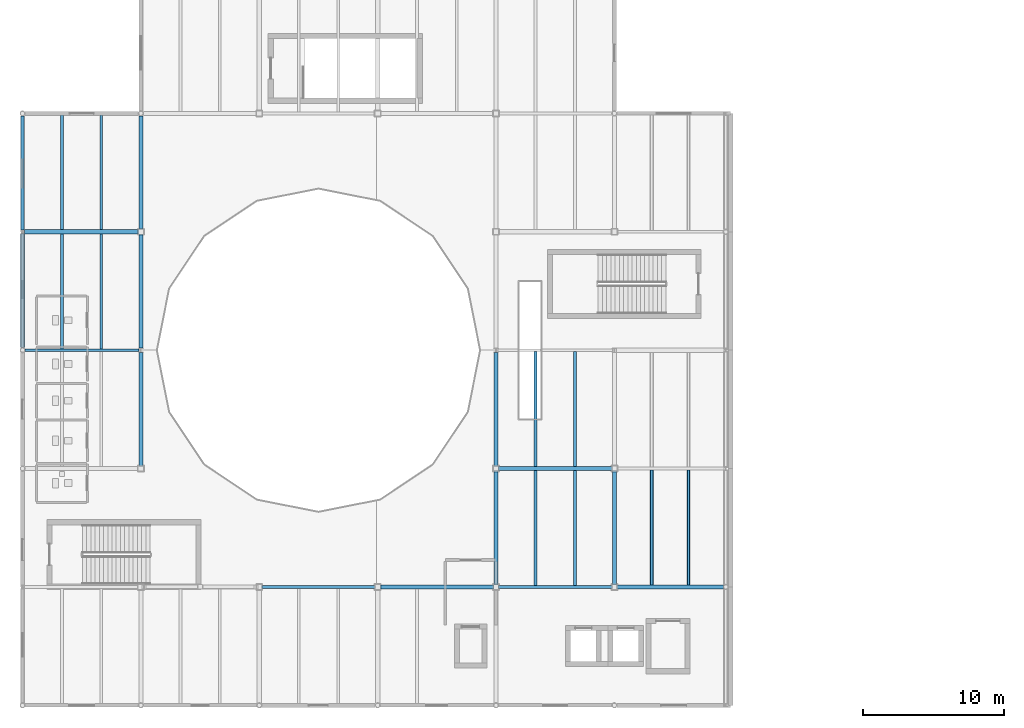
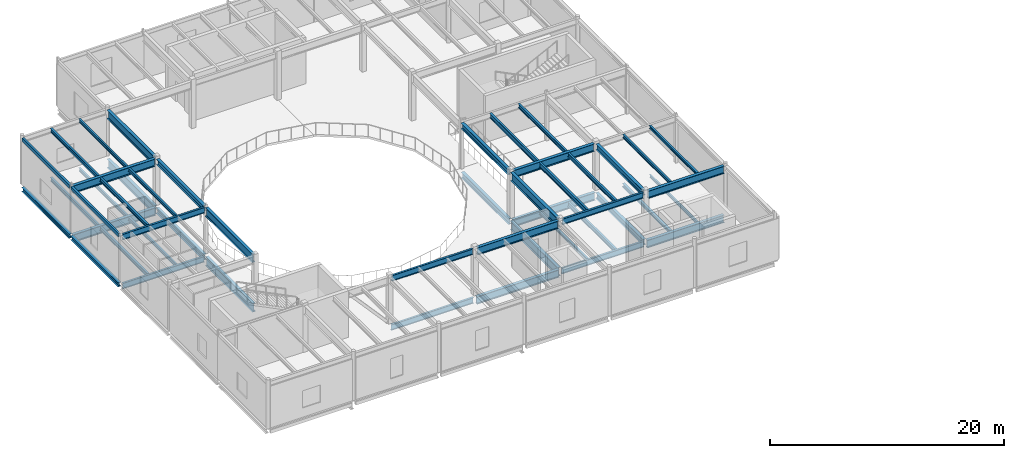
# One storey, part 14 of 57: 48 beams.
"""IFC4 building model written with IfcOpenShell, lengths in metres."""

from ifc_helpers import new_model, si_unit, direction, frame, origin, origin_2d, place, context, subcontext, project, spatial, hollow_rectangle, i_section, extrude, material, material_profile, profile_set, type_object, element, save


model = new_model("IFC4")

# Units and contexts
model_context = context("Model", 3, precision=1e-05, world=origin(), true_north=direction((0.0, 1.0)))
body_context = subcontext(model_context, "Body", "Model", "MODEL_VIEW")
ifc_project = project(units=[si_unit("LENGTHUNIT", "METRE"), si_unit("AREAUNIT", "SQUARE_METRE"), si_unit("VOLUMEUNIT", "CUBIC_METRE"), si_unit("PLANEANGLEUNIT", "RADIAN"), si_unit("MASSUNIT", "GRAM", prefix="KILO"), si_unit("THERMODYNAMICTEMPERATUREUNIT", "KELVIN")], contexts=[model_context])

# Site, building, storey
site_placement = place(None, origin())
site = spatial("IfcSite", under=ifc_project, at=site_placement, CompositionType="ELEMENT")
building_placement = place(site_placement, origin())
building = spatial("IfcBuilding", under=site, at=building_placement, Name="Lustrewick Department Store", CompositionType="ELEMENT")
storey_placement = place(building_placement, frame((0.0, 0.0, 26.699951171875)))
storey = spatial("IfcBuildingStorey", under=building, at=storey_placement, Name="L06", CompositionType="ELEMENT", Elevation=26.699951171875)

# Beams
ifc_material_1 = material(Name="Structural steel Q355B", Category="steel")
ifc_material_profile_1 = material_profile(ifc_material_1, i_section(OverallWidth=0.199951171875, OverallDepth=0.5, WebThickness=0.010009765625, FlangeThickness=0.01611328125, FilletRadius=0.01611328125, at=origin_2d()), Name="HN 500x200x10x16")
ifc_profile_set_1 = profile_set([ifc_material_profile_1], Name="Structural steel Q355B")
beam_type_1 = type_object("IfcBeamType", Name="B01", PredefinedType="JOIST", material=ifc_profile_set_1)
beam_1_placement = place(storey_placement, frame((44.800048828125, 50.5, 4.594970703125), z_axis=(0.0, 1.0, 0.0), x_axis=(-1.0, 0.0, 0.0)))
element("IfcBeam", 1, at=beam_1_placement, inside=storey, type_object=beam_type_1, Name="L06 V1 Secondary Joist B01", PredefinedType="JOIST", context=body_context, shape_type="SweptSolid", body=[
    extrude(i_section(OverallWidth=0.199951171875, OverallDepth=0.5, WebThickness=0.010009765625, FlangeThickness=0.01611328125, FilletRadius=0.01611328125, at=origin_2d()), origin(), (0.0, 0.0, 1.0), 8.14990234375),
])
beam_2_placement = place(storey_placement, frame((44.800048828125, 58.949951171875, 4.594970703125), z_axis=(0.0, 1.0, 0.0), x_axis=(-1.0, 0.0, 0.0)))
element("IfcBeam", 2, at=beam_2_placement, inside=storey, type_object=beam_type_1, Name="L06 V1 Secondary Joist B01", PredefinedType="JOIST", context=body_context, shape_type="SweptSolid", body=[
    extrude(i_section(OverallWidth=0.199951171875, OverallDepth=0.5, WebThickness=0.010009765625, FlangeThickness=0.01611328125, FilletRadius=0.01611328125, at=origin_2d()), origin(), (0.0, 0.0, 1.0), 8.150146484375),
])
ifc_material_profile_2 = material_profile(ifc_material_1, i_section(OverallWidth=0.198974609375, OverallDepth=0.446044921875, WebThickness=0.008056640625, FlangeThickness=0.011962890625, FilletRadius=0.01611328125, at=origin_2d()), Name="HN 446x199x8x12")
ifc_profile_set_2 = profile_set([ifc_material_profile_2], Name="Structural steel Q355B")
beam_type_2 = type_object("IfcBeamType", Name="B04", PredefinedType="JOIST", material=ifc_profile_set_2)
beam_3_placement = place(storey_placement, frame((47.60009765625, 50.50048828125, -0.47802734375), z_axis=(0.0, 1.0, 0.0), x_axis=(-1.0, 0.0, 0.0)))
element("IfcBeam", 3, at=beam_3_placement, inside=storey, type_object=beam_type_2, Name="L06 V1 Secondary Joist B04", PredefinedType="JOIST", context=body_context, shape_type="SweptSolid", body=[
    extrude(i_section(OverallWidth=0.198974609375, OverallDepth=0.446044921875, WebThickness=0.008056640625, FlangeThickness=0.011962890625, FilletRadius=0.01611328125, at=origin_2d()), origin(), (0.0, 0.0, 1.0), 8.1494140625),
])
ifc_material_profile_3 = material_profile(ifc_material_1, i_section(OverallWidth=0.199951171875, OverallDepth=0.39990234375, WebThickness=0.008056640625, FlangeThickness=0.012939453125, FilletRadius=0.013916015625, at=origin_2d()), Name="HN 400x200x8x13")
ifc_profile_set_3 = profile_set([ifc_material_profile_3], Name="Structural steel Q355B")
beam_type_3 = type_object("IfcBeamType", Name="B05", PredefinedType="JOIST", material=ifc_profile_set_3)
for number, where, z_axis, x_axis, name in (
    (4, (11.199951171875, 67.300048828125, -0.454833984375), (0.0, 1.0, 0.0), (-1.0, 0.0, 0.0), "L06 V1 Secondary Joist B05"),
    (5, (11.199951171875, 75.75, -0.454833984375), (0.0, 1.0, 0.0), (-1.0, 0.0, 0.0), "L06 V1 Secondary Joist B05"),
    (6, (47.60009765625, 50.5, 4.64501953125), (0.0, 1.0, 0.0), (-1.0, 0.0, 0.0), "L06 V1 Secondary Joist B05"),
):
    element("IfcBeam", number, at=place(storey_placement, frame(where, z_axis=z_axis, x_axis=x_axis)), inside=storey, type_object=beam_type_3, Name=name, PredefinedType="JOIST", context=body_context, shape_type="SweptSolid", body=[
        extrude(i_section(OverallWidth=0.199951171875, OverallDepth=0.39990234375, WebThickness=0.008056640625, FlangeThickness=0.012939453125, FilletRadius=0.013916015625, at=origin_2d()), origin(), (0.0, 0.0, 1.0), 8.14990234375),
    ])
beam_4_placement = place(storey_placement, frame((47.60009765625, 58.949951171875, 4.64501953125), z_axis=(0.0, 1.0, 0.0), x_axis=(-1.0, 0.0, 0.0)))
element("IfcBeam", 7, at=beam_4_placement, inside=storey, type_object=beam_type_3, Name="L06 V1 Secondary Joist B05", PredefinedType="JOIST", context=body_context, shape_type="SweptSolid", body=[
    extrude(i_section(OverallWidth=0.199951171875, OverallDepth=0.39990234375, WebThickness=0.008056640625, FlangeThickness=0.012939453125, FilletRadius=0.013916015625, at=origin_2d()), origin(), (0.0, 0.0, 1.0), 8.150146484375),
])
ifc_material_profile_4 = material_profile(ifc_material_1, i_section(OverallWidth=0.198974609375, OverallDepth=0.39599609375, WebThickness=0.007080078125, FlangeThickness=0.010986328125, FilletRadius=0.013916015625, at=origin_2d()), Name="HN 396x199x7x11")
ifc_profile_set_4 = profile_set([ifc_material_profile_4], Name="Structural steel Q355B")
beam_type_4 = type_object("IfcBeamType", Name="B06", PredefinedType="JOIST", material=ifc_profile_set_4)
beam_5_placement = place(storey_placement, frame((11.199951171875, 67.299560546875, 4.64697265625), z_axis=(0.0, 1.0, 0.0), x_axis=(-1.0, 0.0, 0.0)))
element("IfcBeam", 8, at=beam_5_placement, inside=storey, type_object=beam_type_4, Name="L06 V1 Secondary Joist B06", PredefinedType="JOIST", context=body_context, shape_type="SweptSolid", body=[
    extrude(i_section(OverallWidth=0.198974609375, OverallDepth=0.39599609375, WebThickness=0.007080078125, FlangeThickness=0.010986328125, FilletRadius=0.013916015625, at=origin_2d()), origin(), (0.0, 0.0, 1.0), 8.150390625),
])
beam_6_placement = place(storey_placement, frame((11.199951171875, 75.75, 4.64697265625), z_axis=(0.0, 1.0, 0.0), x_axis=(-1.0, 0.0, 0.0)))
element("IfcBeam", 9, at=beam_6_placement, inside=storey, type_object=beam_type_4, Name="L06 V1 Secondary Joist B06", PredefinedType="JOIST", context=body_context, shape_type="SweptSolid", body=[
    extrude(i_section(OverallWidth=0.198974609375, OverallDepth=0.39599609375, WebThickness=0.007080078125, FlangeThickness=0.010986328125, FilletRadius=0.013916015625, at=origin_2d()), origin(), (0.0, 0.0, 1.0), 8.1494140625),
])
ifc_material_profile_5 = material_profile(ifc_material_1, i_section(OverallWidth=0.25, OverallDepth=0.340087890625, WebThickness=0.009033203125, FlangeThickness=0.013916015625, FilletRadius=0.01611328125, at=origin_2d()), Name="HM 340x250x9x14")
ifc_profile_set_5 = profile_set([ifc_material_profile_5], Name="Structural steel Q355B")
beam_type_5 = type_object("IfcBeamType", Name="B08", PredefinedType="JOIST", material=ifc_profile_set_5)
beam_7_placement = place(storey_placement, frame((53.033203125, 50.550048828125, -0.425048828125), z_axis=(0.0, 1.0, 0.0), x_axis=(-1.0, 0.0, 0.0)))
element("IfcBeam", 10, at=beam_7_placement, inside=storey, type_object=beam_type_5, Name="L06 V1 Secondary Joist B08", PredefinedType="JOIST", context=body_context, shape_type="SweptSolid", body=[
    extrude(i_section(OverallWidth=0.25, OverallDepth=0.340087890625, WebThickness=0.009033203125, FlangeThickness=0.013916015625, FilletRadius=0.01611328125, at=origin_2d()), origin(), (0.0, 0.0, 1.0), 8.1494140625),
])
ifc_material_profile_6 = material_profile(ifc_material_1, i_section(OverallWidth=0.175048828125, OverallDepth=0.35009765625, WebThickness=0.007080078125, FlangeThickness=0.010986328125, FilletRadius=0.012939453125, at=origin_2d()), Name="HN 350x175x7x11")
ifc_profile_set_6 = profile_set([ifc_material_profile_6], Name="Structural steel Q355B")
beam_type_6 = type_object("IfcBeamType", Name="B09", PredefinedType="JOIST", material=ifc_profile_set_6)
for number, where, z_axis, x_axis, name in (
    (11, (14.0, 67.300048828125, -0.429931640625), (0.0, 1.0, 0.0), (-1.0, 0.0, 0.0), "L06 V1 Secondary Joist B09"),
    (12, (14.0, 75.75, -0.429931640625), (0.0, 1.0, 0.0), (-1.0, 0.0, 0.0), "L06 V1 Secondary Joist B09"),
    (13, (53.033203125, 50.550048828125, 4.670166015625), (0.0, 1.0, 0.0), (-1.0, 0.0, 0.0), "L06 V1 Secondary Joist B09"),
):
    element("IfcBeam", number, at=place(storey_placement, frame(where, z_axis=z_axis, x_axis=x_axis)), inside=storey, type_object=beam_type_6, Name=name, PredefinedType="JOIST", context=body_context, shape_type="SweptSolid", body=[
        extrude(i_section(OverallWidth=0.175048828125, OverallDepth=0.35009765625, WebThickness=0.007080078125, FlangeThickness=0.010986328125, FilletRadius=0.012939453125, at=origin_2d()), origin(), (0.0, 0.0, 1.0), 8.14990234375),
    ])
ifc_material_profile_7 = material_profile(ifc_material_1, i_section(OverallWidth=0.174072265625, OverallDepth=0.345947265625, WebThickness=0.006103515625, FlangeThickness=0.009033203125, FilletRadius=0.012939453125, at=origin_2d()), Name="HN 346x174x6x9")
ifc_profile_set_7 = profile_set([ifc_material_profile_7], Name="Structural steel Q355B")
beam_type_7 = type_object("IfcBeamType", Name="B10", PredefinedType="JOIST", material=ifc_profile_set_7)
beam_8_placement = place(storey_placement, frame((14.0, 67.299560546875, 4.672119140625), z_axis=(0.0, 1.0, 0.0), x_axis=(-1.0, 0.0, 0.0)))
element("IfcBeam", 14, at=beam_8_placement, inside=storey, type_object=beam_type_7, Name="L06 V1 Secondary Joist B10", PredefinedType="JOIST", context=body_context, shape_type="SweptSolid", body=[
    extrude(i_section(OverallWidth=0.174072265625, OverallDepth=0.345947265625, WebThickness=0.006103515625, FlangeThickness=0.009033203125, FilletRadius=0.012939453125, at=origin_2d()), origin(), (0.0, 0.0, 1.0), 8.150390625),
])
beam_9_placement = place(storey_placement, frame((14.0, 75.75, 4.672119140625), z_axis=(0.0, 1.0, 0.0), x_axis=(-1.0, 0.0, 0.0)))
element("IfcBeam", 15, at=beam_9_placement, inside=storey, type_object=beam_type_7, Name="L06 V1 Secondary Joist B10", PredefinedType="JOIST", context=body_context, shape_type="SweptSolid", body=[
    extrude(i_section(OverallWidth=0.174072265625, OverallDepth=0.345947265625, WebThickness=0.006103515625, FlangeThickness=0.009033203125, FilletRadius=0.012939453125, at=origin_2d()), origin(), (0.0, 0.0, 1.0), 8.1494140625),
])
ifc_material_profile_8 = material_profile(ifc_material_1, i_section(OverallWidth=0.14892578125, OverallDepth=0.298095703125, WebThickness=0.005615234375, FlangeThickness=0.008056640625, FilletRadius=0.011962890625, at=origin_2d()), Name="HN 298x149x5.5x8")
ifc_profile_set_8 = profile_set([ifc_material_profile_8], Name="Structural steel Q355B")
beam_type_8 = type_object("IfcBeamType", Name="B12", PredefinedType="JOIST", material=ifc_profile_set_8)
beam_10_placement = place(storey_placement, frame((55.666748046875, 50.550048828125, -0.404052734375), z_axis=(0.0, 1.0, 0.0), x_axis=(-1.0, 0.0, 0.0)))
element("IfcBeam", 16, at=beam_10_placement, inside=storey, type_object=beam_type_8, Name="L06 V1 Secondary Joist B12", PredefinedType="JOIST", context=body_context, shape_type="SweptSolid", body=[
    extrude(i_section(OverallWidth=0.14892578125, OverallDepth=0.298095703125, WebThickness=0.005615234375, FlangeThickness=0.008056640625, FilletRadius=0.011962890625, at=origin_2d()), origin(), (0.0, 0.0, 1.0), 8.1494140625),
])
ifc_material_profile_9 = material_profile(ifc_material_1, i_section(OverallWidth=0.199951171875, OverallDepth=0.2939453125, WebThickness=0.008056640625, FlangeThickness=0.011962890625, FilletRadius=0.013916015625, at=origin_2d()), Name="HM 294x200x8x12")
ifc_profile_set_9 = profile_set([ifc_material_profile_9], Name="Structural steel Q355B")
beam_type_9 = type_object("IfcBeamType", Name="B13", PredefinedType="JOIST", material=ifc_profile_set_9)
beam_11_placement = place(storey_placement, frame((44.800048828125, 50.50048828125, -0.40185546875), z_axis=(0.0, 1.0, 0.0), x_axis=(-1.0, 0.0, 0.0)))
element("IfcBeam", 17, at=beam_11_placement, inside=storey, type_object=beam_type_9, Name="L06 V1 Secondary Joist B13", PredefinedType="JOIST", context=body_context, shape_type="SweptSolid", body=[
    extrude(i_section(OverallWidth=0.199951171875, OverallDepth=0.2939453125, WebThickness=0.008056640625, FlangeThickness=0.011962890625, FilletRadius=0.013916015625, at=origin_2d()), origin(), (0.0, 0.0, 1.0), 8.1494140625),
])
beam_12_placement = place(storey_placement, frame((55.666748046875, 50.550048828125, 4.697998046875), z_axis=(0.0, 1.0, 0.0), x_axis=(-1.0, 0.0, 0.0)))
element("IfcBeam", 18, at=beam_12_placement, inside=storey, type_object=beam_type_9, Name="L06 V1 Secondary Joist B13", PredefinedType="JOIST", context=body_context, shape_type="SweptSolid", body=[
    extrude(i_section(OverallWidth=0.199951171875, OverallDepth=0.2939453125, WebThickness=0.008056640625, FlangeThickness=0.011962890625, FilletRadius=0.013916015625, at=origin_2d()), origin(), (0.0, 0.0, 1.0), 8.14990234375),
])
ifc_material_2 = material(Name="Structural steel Q355C", Category="steel")
ifc_material_profile_10 = material_profile(ifc_material_2, i_section(OverallWidth=0.302001953125, OverallDepth=0.912109375, WebThickness=0.01806640625, FlangeThickness=0.033935546875, FilletRadius=0.02392578125, at=origin_2d()), Name="HN 912x302x18x34")
ifc_profile_set_10 = profile_set([ifc_material_profile_10], Name="Structural steel Q355C")
beam_type_10 = type_object("IfcBeamType", Name="G01", PredefinedType="BEAM", material=ifc_profile_set_10)
beam_13_placement = place(storey_placement, frame((16.800048828125, 75.75, -0.7109375), z_axis=(0.0, 1.0, 0.0), x_axis=(-1.0, 0.0, 0.0)))
element("IfcBeam", 19, at=beam_13_placement, inside=storey, type_object=beam_type_10, Name="L06 V1 Girder G01", PredefinedType="BEAM", context=body_context, shape_type="SweptSolid", body=[
    extrude(i_section(OverallWidth=0.302001953125, OverallDepth=0.912109375, WebThickness=0.01806640625, FlangeThickness=0.033935546875, FilletRadius=0.02392578125, at=origin_2d()), origin(), (0.0, 0.0, 1.0), 8.072021484375),
])
beam_14_placement = place(storey_placement, frame((42.0, 50.550048828125, -0.7109375), z_axis=(0.0, 1.0, 0.0), x_axis=(-1.0, 0.0, 0.0)))
element("IfcBeam", 20, at=beam_14_placement, inside=storey, type_object=beam_type_10, Name="L06 V1 Girder G01", PredefinedType="BEAM", context=body_context, shape_type="SweptSolid", body=[
    extrude(i_section(OverallWidth=0.302001953125, OverallDepth=0.912109375, WebThickness=0.01806640625, FlangeThickness=0.033935546875, FilletRadius=0.02392578125, at=origin_2d()), origin(), (0.0, 0.0, 1.0), 8.099853515625),
])
ifc_material_profile_11 = material_profile(ifc_material_2, i_section(OverallWidth=0.300048828125, OverallDepth=0.89990234375, WebThickness=0.01611328125, FlangeThickness=0.028076171875, FilletRadius=0.02392578125, at=origin_2d()), Name="HN 900x300x16x28")
ifc_profile_set_11 = profile_set([ifc_material_profile_11], Name="Structural steel Q355C")
beam_type_11 = type_object("IfcBeamType", Name="G02", PredefinedType="BEAM", material=ifc_profile_set_11)
beam_15_placement = place(storey_placement, frame((16.800048828125, 58.949951171875, -0.704833984375), z_axis=(0.0, 1.0, 0.0), x_axis=(-1.0, 0.0, 0.0)))
element("IfcBeam", 21, at=beam_15_placement, inside=storey, type_object=beam_type_11, Name="L06 V1 Girder G02", PredefinedType="BEAM", context=body_context, shape_type="SweptSolid", body=[
    extrude(i_section(OverallWidth=0.300048828125, OverallDepth=0.89990234375, WebThickness=0.01611328125, FlangeThickness=0.028076171875, FilletRadius=0.02392578125, at=origin_2d()), origin(), (0.0, 0.0, 1.0), 8.078125),
])
beam_16_placement = place(storey_placement, frame((16.800048828125, 75.824951171875, 4.39501953125), z_axis=(0.0, 1.0, 0.0), x_axis=(-1.0, 0.0, 0.0)))
element("IfcBeam", 22, at=beam_16_placement, inside=storey, type_object=beam_type_11, Name="L06 V1 Girder G02", PredefinedType="BEAM", context=body_context, shape_type="SweptSolid", body=[
    extrude(i_section(OverallWidth=0.300048828125, OverallDepth=0.89990234375, WebThickness=0.01611328125, FlangeThickness=0.028076171875, FilletRadius=0.02392578125, at=origin_2d()), origin(), (0.0, 0.0, 1.0), 7.9970703125),
])
beam_17_placement = place(storey_placement, frame((42.0, 50.625, 4.39501953125), z_axis=(0.0, 1.0, 0.0), x_axis=(-1.0, 0.0, 0.0)))
element("IfcBeam", 23, at=beam_17_placement, inside=storey, type_object=beam_type_11, Name="L06 V1 Girder G02", PredefinedType="BEAM", context=body_context, shape_type="SweptSolid", body=[
    extrude(i_section(OverallWidth=0.300048828125, OverallDepth=0.89990234375, WebThickness=0.01611328125, FlangeThickness=0.028076171875, FilletRadius=0.02392578125, at=origin_2d()), origin(), (0.0, 0.0, 1.0), 7.949951171875),
])
ifc_material_profile_12 = material_profile(ifc_material_2, i_section(OverallWidth=0.299072265625, OverallDepth=0.889892578125, WebThickness=0.014892578125, FlangeThickness=0.02294921875, FilletRadius=0.02392578125, at=origin_2d()), Name="HN 890x299x15x23")
ifc_profile_set_12 = profile_set([ifc_material_profile_12], Name="Structural steel Q355C")
beam_type_12 = type_object("IfcBeamType", Name="G03", PredefinedType="BEAM", material=ifc_profile_set_12)
beam_18_placement = place(storey_placement, frame((16.800048828125, 59.02490234375, 4.400146484375), z_axis=(0.0, 1.0, 0.0), x_axis=(-1.0, 0.0, 0.0)))
element("IfcBeam", 24, at=beam_18_placement, inside=storey, type_object=beam_type_12, Name="L06 V1 Girder G03", PredefinedType="BEAM", context=body_context, shape_type="SweptSolid", body=[
    extrude(i_section(OverallWidth=0.299072265625, OverallDepth=0.889892578125, WebThickness=0.014892578125, FlangeThickness=0.02294921875, FilletRadius=0.02392578125, at=origin_2d()), origin(), (0.0, 0.0, 1.0), 8.025146484375),
])
ifc_material_profile_13 = material_profile(ifc_material_1, i_section(OverallWidth=0.300048828125, OverallDepth=0.800048828125, WebThickness=0.013916015625, FlangeThickness=0.02587890625, FilletRadius=0.02197265625, at=origin_2d()), Name="HN 800x300x14x26")
ifc_profile_set_13 = profile_set([ifc_material_profile_13], Name="Structural steel Q355B")
beam_type_13 = type_object("IfcBeamType", Name="G05", PredefinedType="BEAM", material=ifc_profile_set_13)
beam_19_placement = place(storey_placement, frame((33.75, 50.39990234375, -0.655029296875), z_axis=(1.0, 0.0, 0.0), x_axis=(0.0, 1.0, 0.0)))
element("IfcBeam", 25, at=beam_19_placement, inside=storey, type_object=beam_type_13, Name="L06 V1 Girder G05", PredefinedType="BEAM", context=body_context, shape_type="SweptSolid", body=[
    extrude(i_section(OverallWidth=0.300048828125, OverallDepth=0.800048828125, WebThickness=0.013916015625, FlangeThickness=0.02587890625, FilletRadius=0.02197265625, at=origin_2d()), origin(), (0.0, 0.0, 1.0), 8.10009765625),
])
beam_20_placement = place(storey_placement, frame((50.550048828125, 50.39990234375, -0.655029296875), z_axis=(1.0, 0.0, 0.0), x_axis=(0.0, 1.0, 0.0)))
element("IfcBeam", 26, at=beam_20_placement, inside=storey, type_object=beam_type_13, Name="L06 V1 Girder G05", PredefinedType="BEAM", context=body_context, shape_type="SweptSolid", body=[
    extrude(i_section(OverallWidth=0.300048828125, OverallDepth=0.800048828125, WebThickness=0.013916015625, FlangeThickness=0.02587890625, FilletRadius=0.02197265625, at=origin_2d()), origin(), (0.0, 0.0, 1.0), 7.572021484375),
])
beam_21_placement = place(storey_placement, frame((42.14990234375, 58.800048828125, -0.655029296875), z_axis=(1.0, 0.0, 0.0), x_axis=(0.0, 1.0, 0.0)))
element("IfcBeam", 27, at=beam_21_placement, inside=storey, type_object=beam_type_13, Name="L06 V1 Girder G05", PredefinedType="BEAM", context=body_context, shape_type="SweptSolid", body=[
    extrude(i_section(OverallWidth=0.300048828125, OverallDepth=0.800048828125, WebThickness=0.013916015625, FlangeThickness=0.02587890625, FilletRadius=0.02197265625, at=origin_2d()), origin(), (0.0, 0.0, 1.0), 8.10009765625),
])
beam_22_placement = place(storey_placement, frame((8.52490234375, 75.60009765625, -0.655029296875), z_axis=(1.0, 0.0, 0.0), x_axis=(0.0, 1.0, 0.0)))
element("IfcBeam", 28, at=beam_22_placement, inside=storey, type_object=beam_type_13, Name="L06 V1 Girder G05", PredefinedType="BEAM", context=body_context, shape_type="SweptSolid", body=[
    extrude(i_section(OverallWidth=0.300048828125, OverallDepth=0.800048828125, WebThickness=0.013916015625, FlangeThickness=0.02587890625, FilletRadius=0.02197265625, at=origin_2d()), origin(), (0.0, 0.0, 1.0), 8.125),
])
ifc_material_profile_14 = material_profile(ifc_material_1, i_section(OverallWidth=0.300048828125, OverallDepth=0.7919921875, WebThickness=0.013916015625, FlangeThickness=0.02197265625, FilletRadius=0.02197265625, at=origin_2d()), Name="HN 792x300x14x22")
ifc_profile_set_14 = profile_set([ifc_material_profile_14], Name="Structural steel Q355B")
beam_type_14 = type_object("IfcBeamType", Name="G06", PredefinedType="BEAM", material=ifc_profile_set_14)
beam_23_placement = place(storey_placement, frame((33.824951171875, 50.39990234375, 4.448974609375), z_axis=(1.0, 0.0, 0.0), x_axis=(0.0, 1.0, 0.0)))
element("IfcBeam", 29, at=beam_23_placement, inside=storey, type_object=beam_type_14, Name="L06 V1 Girder G06", PredefinedType="BEAM", context=body_context, shape_type="SweptSolid", body=[
    extrude(i_section(OverallWidth=0.300048828125, OverallDepth=0.7919921875, WebThickness=0.013916015625, FlangeThickness=0.02197265625, FilletRadius=0.02197265625, at=origin_2d()), origin(), (0.0, 0.0, 1.0), 7.949951171875),
])
beam_24_placement = place(storey_placement, frame((50.625, 50.39990234375, 4.448974609375), z_axis=(1.0, 0.0, 0.0), x_axis=(0.0, 1.0, 0.0)))
element("IfcBeam", 30, at=beam_24_placement, inside=storey, type_object=beam_type_14, Name="L06 V1 Girder G06", PredefinedType="BEAM", context=body_context, shape_type="SweptSolid", body=[
    extrude(i_section(OverallWidth=0.300048828125, OverallDepth=0.7919921875, WebThickness=0.013916015625, FlangeThickness=0.02197265625, FilletRadius=0.02197265625, at=origin_2d()), origin(), (0.0, 0.0, 1.0), 7.4970703125),
])
beam_25_placement = place(storey_placement, frame((42.22509765625, 58.800048828125, 4.448974609375), z_axis=(1.0, 0.0, 0.0), x_axis=(0.0, 1.0, 0.0)))
element("IfcBeam", 31, at=beam_25_placement, inside=storey, type_object=beam_type_14, Name="L06 V1 Girder G06", PredefinedType="BEAM", context=body_context, shape_type="SweptSolid", body=[
    extrude(i_section(OverallWidth=0.300048828125, OverallDepth=0.7919921875, WebThickness=0.013916015625, FlangeThickness=0.02197265625, FilletRadius=0.02197265625, at=origin_2d()), origin(), (0.0, 0.0, 1.0), 7.949951171875),
])
beam_26_placement = place(storey_placement, frame((8.52490234375, 75.60009765625, 4.448974609375), z_axis=(1.0, 0.0, 0.0), x_axis=(0.0, 1.0, 0.0)))
element("IfcBeam", 32, at=beam_26_placement, inside=storey, type_object=beam_type_14, Name="L06 V1 Girder G06", PredefinedType="BEAM", context=body_context, shape_type="SweptSolid", body=[
    extrude(i_section(OverallWidth=0.300048828125, OverallDepth=0.7919921875, WebThickness=0.013916015625, FlangeThickness=0.02197265625, FilletRadius=0.02197265625, at=origin_2d()), origin(), (0.0, 0.0, 1.0), 8.050048828125),
])
ifc_material_profile_15 = material_profile(ifc_material_1, i_section(OverallWidth=0.302001953125, OverallDepth=0.593994140625, WebThickness=0.013916015625, FlangeThickness=0.02294921875, FilletRadius=0.02392578125, at=origin_2d()), Name="HM 594x302x14x23")
ifc_profile_set_15 = profile_set([ifc_material_profile_15], Name="Structural steel Q355B")
beam_type_15 = type_object("IfcBeamType", Name="G10", PredefinedType="BEAM", material=ifc_profile_set_15)
beam_27_placement = place(storey_placement, frame((16.800048828125, 67.3720703125, -0.552001953125), z_axis=(0.0, 1.0, 0.0), x_axis=(-1.0, 0.0, 0.0)))
element("IfcBeam", 33, at=beam_27_placement, inside=storey, type_object=beam_type_15, Name="L06 V1 Girder G10", PredefinedType="BEAM", context=body_context, shape_type="SweptSolid", body=[
    extrude(i_section(OverallWidth=0.302001953125, OverallDepth=0.593994140625, WebThickness=0.013916015625, FlangeThickness=0.02294921875, FilletRadius=0.02392578125, at=origin_2d()), origin(), (0.0, 0.0, 1.0), 8.077880859375),
])
beam_28_placement = place(storey_placement, frame((42.0, 58.949951171875, -0.552001953125), z_axis=(0.0, 1.0, 0.0), x_axis=(-1.0, 0.0, 0.0)))
element("IfcBeam", 34, at=beam_28_placement, inside=storey, type_object=beam_type_15, Name="L06 V1 Girder G10", PredefinedType="BEAM", context=body_context, shape_type="SweptSolid", body=[
    extrude(i_section(OverallWidth=0.302001953125, OverallDepth=0.593994140625, WebThickness=0.013916015625, FlangeThickness=0.02294921875, FilletRadius=0.02392578125, at=origin_2d()), origin(), (0.0, 0.0, 1.0), 8.078125),
])
beam_29_placement = place(storey_placement, frame((50.39990234375, 50.550048828125, -0.552001953125), z_axis=(0.0, 1.0, 0.0), x_axis=(-1.0, 0.0, 0.0)))
element("IfcBeam", 35, at=beam_29_placement, inside=storey, type_object=beam_type_15, Name="L06 V1 Girder G10", PredefinedType="BEAM", context=body_context, shape_type="SweptSolid", body=[
    extrude(i_section(OverallWidth=0.302001953125, OverallDepth=0.593994140625, WebThickness=0.013916015625, FlangeThickness=0.02294921875, FilletRadius=0.02392578125, at=origin_2d()), origin(), (0.0, 0.0, 1.0), 8.099853515625),
])
ifc_material_profile_16 = material_profile(ifc_material_1, i_section(OverallWidth=0.300048828125, OverallDepth=0.587890625, WebThickness=0.011962890625, FlangeThickness=0.02001953125, FilletRadius=0.02392578125, at=origin_2d()), Name="HM 588x300x12x20")
ifc_profile_set_16 = profile_set([ifc_material_profile_16], Name="Structural steel Q355B")
beam_type_16 = type_object("IfcBeamType", Name="G11", PredefinedType="BEAM", material=ifc_profile_set_16)
beam_30_placement = place(storey_placement, frame((16.800048828125, 67.35009765625, 4.551025390625), z_axis=(0.0, 1.0, 0.0), x_axis=(-1.0, 0.0, 0.0)))
element("IfcBeam", 36, at=beam_30_placement, inside=storey, type_object=beam_type_16, Name="L06 V1 Girder G11", PredefinedType="BEAM", context=body_context, shape_type="SweptSolid", body=[
    extrude(i_section(OverallWidth=0.300048828125, OverallDepth=0.587890625, WebThickness=0.011962890625, FlangeThickness=0.02001953125, FilletRadius=0.02392578125, at=origin_2d()), origin(), (0.0, 0.0, 1.0), 8.02490234375),
])
beam_31_placement = place(storey_placement, frame((42.0, 59.02490234375, 4.551025390625), z_axis=(0.0, 1.0, 0.0), x_axis=(-1.0, 0.0, 0.0)))
element("IfcBeam", 37, at=beam_31_placement, inside=storey, type_object=beam_type_16, Name="L06 V1 Girder G11", PredefinedType="BEAM", context=body_context, shape_type="SweptSolid", body=[
    extrude(i_section(OverallWidth=0.300048828125, OverallDepth=0.587890625, WebThickness=0.011962890625, FlangeThickness=0.02001953125, FilletRadius=0.02392578125, at=origin_2d()), origin(), (0.0, 0.0, 1.0), 8.025146484375),
])
beam_32_placement = place(storey_placement, frame((50.39990234375, 50.625, 4.551025390625), z_axis=(0.0, 1.0, 0.0), x_axis=(-1.0, 0.0, 0.0)))
element("IfcBeam", 38, at=beam_32_placement, inside=storey, type_object=beam_type_16, Name="L06 V1 Girder G11", PredefinedType="BEAM", context=body_context, shape_type="SweptSolid", body=[
    extrude(i_section(OverallWidth=0.300048828125, OverallDepth=0.587890625, WebThickness=0.011962890625, FlangeThickness=0.02001953125, FilletRadius=0.02392578125, at=origin_2d()), origin(), (0.0, 0.0, 1.0), 7.949951171875),
])
ifc_material_profile_17 = material_profile(ifc_material_1, i_section(OverallWidth=0.200927734375, OverallDepth=0.60595703125, WebThickness=0.011962890625, FlangeThickness=0.02001953125, FilletRadius=0.01806640625, at=origin_2d()), Name="HN 606x201x12x20")
ifc_profile_set_17 = profile_set([ifc_material_profile_17], Name="Structural steel Q355B")
beam_type_17 = type_object("IfcBeamType", Name="G13", PredefinedType="BEAM", material=ifc_profile_set_17)
beam_33_placement = place(storey_placement, frame((42.14990234375, 50.39990234375, -0.557861328125), z_axis=(1.0, 0.0, 0.0), x_axis=(0.0, 1.0, 0.0)))
element("IfcBeam", 39, at=beam_33_placement, inside=storey, type_object=beam_type_17, Name="L06 V1 Girder G13", PredefinedType="BEAM", context=body_context, shape_type="SweptSolid", body=[
    extrude(i_section(OverallWidth=0.200927734375, OverallDepth=0.60595703125, WebThickness=0.011962890625, FlangeThickness=0.02001953125, FilletRadius=0.01806640625, at=origin_2d()), origin(), (0.0, 0.0, 1.0), 8.10009765625),
])
ifc_material_profile_18 = material_profile(ifc_material_1, i_section(OverallWidth=0.199951171875, OverallDepth=0.60009765625, WebThickness=0.010986328125, FlangeThickness=0.01708984375, FilletRadius=0.01806640625, at=origin_2d()), Name="HN 600x200x11x17")
ifc_profile_set_18 = profile_set([ifc_material_profile_18], Name="Structural steel Q355B")
beam_type_18 = type_object("IfcBeamType", Name="G14", PredefinedType="BEAM", material=ifc_profile_set_18)
beam_34_placement = place(storey_placement, frame((25.35009765625, 50.39990234375, -0.554931640625), z_axis=(1.0, 0.0, 0.0), x_axis=(0.0, 1.0, 0.0)))
element("IfcBeam", 40, at=beam_34_placement, inside=storey, type_object=beam_type_18, Name="L06 V1 Girder G14", PredefinedType="BEAM", context=body_context, shape_type="SweptSolid", body=[
    extrude(i_section(OverallWidth=0.199951171875, OverallDepth=0.60009765625, WebThickness=0.010986328125, FlangeThickness=0.01708984375, FilletRadius=0.01806640625, at=origin_2d()), origin(), (0.0, 0.0, 1.0), 8.099853515625),
])
beam_35_placement = place(storey_placement, frame((8.577880859375, 67.199951171875, -0.554931640625), z_axis=(1.0, 0.0, 0.0), x_axis=(0.0, 1.0, 0.0)))
element("IfcBeam", 41, at=beam_35_placement, inside=storey, type_object=beam_type_18, Name="L06 V1 Girder G14", PredefinedType="BEAM", context=body_context, shape_type="SweptSolid", body=[
    extrude(i_section(OverallWidth=0.199951171875, OverallDepth=0.60009765625, WebThickness=0.010986328125, FlangeThickness=0.01708984375, FilletRadius=0.01806640625, at=origin_2d()), origin(), (0.0, 0.0, 1.0), 8.048095703125),
])
beam_36_placement = place(storey_placement, frame((42.22509765625, 50.39990234375, 4.545166015625), z_axis=(1.0, 0.0, 0.0), x_axis=(0.0, 1.0, 0.0)))
element("IfcBeam", 42, at=beam_36_placement, inside=storey, type_object=beam_type_18, Name="L06 V1 Girder G14", PredefinedType="BEAM", context=body_context, shape_type="SweptSolid", body=[
    extrude(i_section(OverallWidth=0.199951171875, OverallDepth=0.60009765625, WebThickness=0.010986328125, FlangeThickness=0.01708984375, FilletRadius=0.01806640625, at=origin_2d()), origin(), (0.0, 0.0, 1.0), 7.949951171875),
])
ifc_material_profile_19 = material_profile(ifc_material_1, i_section(OverallWidth=0.198974609375, OverallDepth=0.595947265625, WebThickness=0.010009765625, FlangeThickness=0.014892578125, FilletRadius=0.01806640625, at=origin_2d()), Name="HN 596x199x10x15")
ifc_profile_set_19 = profile_set([ifc_material_profile_19], Name="Structural steel Q355B")
beam_type_19 = type_object("IfcBeamType", Name="G15", PredefinedType="BEAM", material=ifc_profile_set_19)
beam_37_placement = place(storey_placement, frame((25.425048828125, 50.39990234375, 4.547119140625), z_axis=(1.0, 0.0, 0.0), x_axis=(0.0, 1.0, 0.0)))
element("IfcBeam", 43, at=beam_37_placement, inside=storey, type_object=beam_type_19, Name="L06 V1 Girder G15", PredefinedType="BEAM", context=body_context, shape_type="SweptSolid", body=[
    extrude(i_section(OverallWidth=0.198974609375, OverallDepth=0.595947265625, WebThickness=0.010009765625, FlangeThickness=0.014892578125, FilletRadius=0.01806640625, at=origin_2d()), origin(), (0.0, 0.0, 1.0), 7.949951171875),
])
beam_38_placement = place(storey_placement, frame((8.577880859375, 67.199951171875, 4.547119140625), z_axis=(1.0, 0.0, 0.0), x_axis=(0.0, 1.0, 0.0)))
element("IfcBeam", 44, at=beam_38_placement, inside=storey, type_object=beam_type_19, Name="L06 V1 Girder G15", PredefinedType="BEAM", context=body_context, shape_type="SweptSolid", body=[
    extrude(i_section(OverallWidth=0.198974609375, OverallDepth=0.595947265625, WebThickness=0.010009765625, FlangeThickness=0.014892578125, FilletRadius=0.01806640625, at=origin_2d()), origin(), (0.0, 0.0, 1.0), 8.072021484375),
])
ifc_material_profile_20 = material_profile(ifc_material_1, i_section(OverallWidth=0.300048828125, OverallDepth=0.43994140625, WebThickness=0.010986328125, FlangeThickness=0.01806640625, FilletRadius=0.02001953125, at=origin_2d()), Name="HM 440x300x11x18")
ifc_profile_set_20 = profile_set([ifc_material_profile_20], Name="Structural steel Q355B")
beam_type_20 = type_object("IfcBeamType", Name="SP02", PredefinedType="SPANDREL", material=ifc_profile_set_20)
beam_39_placement = place(storey_placement, frame((8.39990234375, 67.3779296875, -0.474853515625), z_axis=(0.0, 1.0, 0.0), x_axis=(-1.0, 0.0, 0.0)))
element("IfcBeam", 45, at=beam_39_placement, inside=storey, type_object=beam_type_20, Name="L06 V1 Girder SP02", PredefinedType="SPANDREL", context=body_context, shape_type="SweptSolid", body=[
    extrude(i_section(OverallWidth=0.300048828125, OverallDepth=0.43994140625, WebThickness=0.010986328125, FlangeThickness=0.01806640625, FilletRadius=0.02001953125, at=origin_2d()), origin(), (0.0, 0.0, 1.0), 8.09716796875),
])
beam_40_placement = place(storey_placement, frame((8.39990234375, 75.72509765625, -0.474853515625), z_axis=(0.0, 1.0, 0.0), x_axis=(-1.0, 0.0, 0.0)))
element("IfcBeam", 46, at=beam_40_placement, inside=storey, type_object=beam_type_20, Name="L06 V1 Girder SP02", PredefinedType="SPANDREL", context=body_context, shape_type="SweptSolid", body=[
    extrude(i_section(OverallWidth=0.300048828125, OverallDepth=0.43994140625, WebThickness=0.010986328125, FlangeThickness=0.01806640625, FilletRadius=0.02001953125, at=origin_2d()), origin(), (0.0, 0.0, 1.0), 8.096923828125),
])
ifc_material_profile_21 = material_profile(ifc_material_2, hollow_rectangle(XDim=0.199951171875, YDim=0.35009765625, WallThickness=0.011962890625, at=origin_2d()), Name="RHS 350x200x12")
ifc_profile_set_21 = profile_set([ifc_material_profile_21], Name="Structural steel Q355C")
beam_type_21 = type_object("IfcBeamType", Name="SP03", PredefinedType="SPANDREL", material=ifc_profile_set_21)
beam_41_placement = place(storey_placement, frame((8.39990234375, 67.3779296875, 4.670166015625), z_axis=(0.0, 1.0, 0.0), x_axis=(-1.0, 0.0, 0.0)))
element("IfcBeam", 47, at=beam_41_placement, inside=storey, type_object=beam_type_21, Name="L06 V1 Girder SP03", PredefinedType="SPANDREL", context=body_context, shape_type="SweptSolid", body=[
    extrude(hollow_rectangle(XDim=0.199951171875, YDim=0.35009765625, WallThickness=0.011962890625, at=origin_2d()), origin(), (0.0, 0.0, 1.0), 8.09716796875),
])
beam_42_placement = place(storey_placement, frame((8.39990234375, 75.72509765625, 4.670166015625), z_axis=(0.0, 1.0, 0.0), x_axis=(-1.0, 0.0, 0.0)))
element("IfcBeam", 48, at=beam_42_placement, inside=storey, type_object=beam_type_21, Name="L06 V1 Girder SP03", PredefinedType="SPANDREL", context=body_context, shape_type="SweptSolid", body=[
    extrude(hollow_rectangle(XDim=0.199951171875, YDim=0.35009765625, WallThickness=0.011962890625, at=origin_2d()), origin(), (0.0, 0.0, 1.0), 8.096923828125),
])

save(model, "model.ifc")
